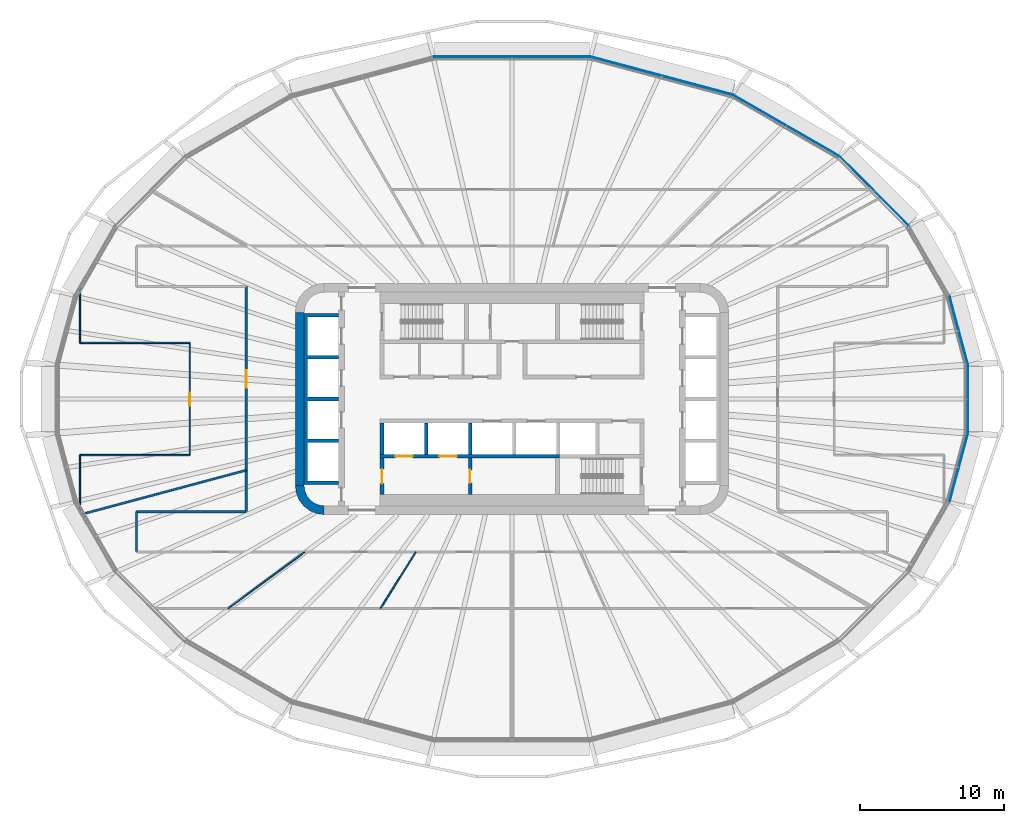
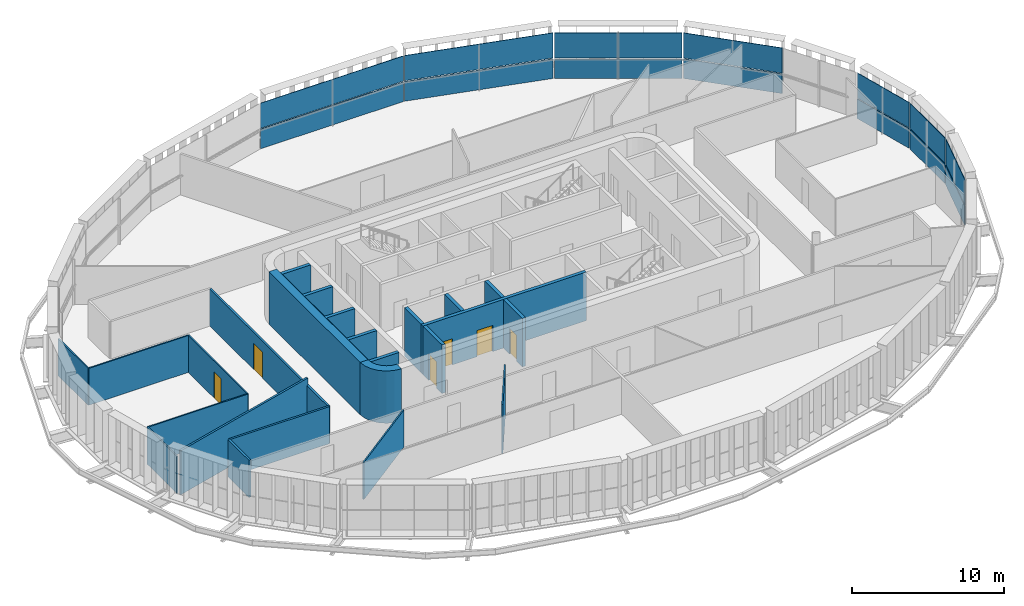
# One storey, part 14 of 25: 20 walls, 14 plates, 6 doors, 6 openings, 7 elements without a shape of their own.
"""IFC4 building model written with IfcOpenShell, lengths in metres."""

from ifc_helpers import new_model, si_unit, direction, frame, frame_2d, origin, place, context, subcontext, project, spatial, polyline, rectangle, outline, extrude, material, layer, layer_set, type_object, element, fill, aggregate, save


model = new_model("IFC4")

# Units and contexts
model_context = context("Model", 3, precision=1e-05, world=origin(), true_north=direction((0.0, 1.0)))
body_context = subcontext(model_context, "Body", "Model", "MODEL_VIEW")
ifc_project = project(units=[si_unit("LENGTHUNIT", "METRE"), si_unit("AREAUNIT", "SQUARE_METRE"), si_unit("VOLUMEUNIT", "CUBIC_METRE"), si_unit("PLANEANGLEUNIT", "RADIAN"), si_unit("MASSUNIT", "GRAM", prefix="KILO")], contexts=[model_context])

# Site, building, storey
site_placement = place(None, origin())
site = spatial("IfcSite", under=ifc_project, at=site_placement, CompositionType="ELEMENT")
building_placement = place(site_placement, origin())
building = spatial("IfcBuilding", under=site, at=building_placement, Name="Sahrelin Media Tower", CompositionType="ELEMENT")
storey_placement = place(building_placement, frame((0.0, 0.0, 144.0)))
storey = spatial("IfcBuildingStorey", under=building, at=storey_placement, Name="L29", CompositionType="ELEMENT", Elevation=144.0)

# Curtain wall, plate
ifc_material_1 = material(Name="Champagne anodised aluminium 6063-T6", Category="aluminium")
ifc_layer_1 = layer(ifc_material_1, 0.14990234375)
ifc_layer_set_1 = layer_set([ifc_layer_1], Name="Tower ribbon curtain wall")
curtain_wall_type = type_object("IfcCurtainWallType", Name="Tower ribbon curtain wall", PredefinedType="NOTDEFINED", material=ifc_layer_set_1)
curtain_wall_1_placement = place(storey_placement, frame((31.57861328125, 0.0, 0.0), z_axis=(0.0, 0.0, 1.0), x_axis=(1.0, 0.0, 0.0)))
curtain_wall_1 = element("IfcCurtainWall", 1, at=curtain_wall_1_placement, inside=storey, type_object=curtain_wall_type, Name="L29:CW:L29-00", PredefinedType="NOTDEFINED")
ifc_material_2 = material(Name="Clear low-iron glazing", Category="glass")
ifc_layer_2 = layer(ifc_material_2, 0.0400390625)
ifc_layer_set_2 = layer_set([ifc_layer_2], Name="Glazing panel 40 mm CW1")
plate_type_1 = type_object("IfcPlateType", Name="Glazing panel 40 mm CW1", PredefinedType="CURTAIN_PANEL", material=ifc_layer_set_2)
plate_1_placement = place(storey_placement, frame((31.5986328125, -2.30859375, 1.6298828125), z_axis=(1.0, 0.0, 0.0), x_axis=(0.0, 1.0, 0.0)))
plate_1 = element("IfcPlate", 2, at=plate_1_placement, type_object=plate_type_1, Name="L29:CWP2:L29-00", PredefinedType="CURTAIN_PANEL", context=body_context, shape_type="SweptSolid", body=[
    extrude(outline(polyline([(0.0, 0.0), (4.6171875, 0.0), (4.6171875, 2.018798828125), (0.0, 2.018798828125), (0.0, 0.0)])), origin(), (0.0, 0.0, -1.0), 0.0400390625),
])

curtain_wall_2_placement = place(storey_placement, frame((30.940185546875, 4.7412109375, 0.0), z_axis=(0.0, 0.0, 1.0), x_axis=(1.0, 0.0, 0.0)))
curtain_wall_2 = element("IfcCurtainWall", 3, at=curtain_wall_2_placement, inside=storey, type_object=curtain_wall_type, Name="L29:CW:L29-01", PredefinedType="NOTDEFINED")
plate_2_placement = place(storey_placement, frame((31.585205078125, 2.412109375, 1.6298828125), z_axis=(0.965913101603, 0.258866529609, 0.0), x_axis=(-0.258866529609, 0.965913101603, 0.0)))
plate_2 = element("IfcPlate", 4, at=plate_2_placement, type_object=plate_type_1, Name="L29:CWP2:L29-01", PredefinedType="CURTAIN_PANEL", context=body_context, shape_type="SweptSolid", body=[
    extrude(outline(polyline([(0.0, 0.0), (4.83349609375, 0.0), (4.83349609375, 2.018798828125), (0.0, 2.018798828125), (0.0, 0.0)])), origin(), (0.0, 0.0, -1.0), 0.0400390625),
])

curtain_wall_3_placement = place(storey_placement, frame((25.08349609375, 14.39697265625, 0.0), z_axis=(0.0, 0.0, 1.0), x_axis=(1.0, 0.0, 0.0)))
curtain_wall_3 = element("IfcCurtainWall", 5, at=curtain_wall_3_placement, inside=storey, type_object=curtain_wall_type, Name="L29:CW:L29-03", PredefinedType="NOTDEFINED")
plate_3_placement = place(storey_placement, frame((27.473876953125, 12.034912109375, 1.6298828125), z_axis=(0.707106781187, 0.707106781187, 0.0), x_axis=(-0.707106781187, 0.707106781187, 0.0)))
plate_3 = element("IfcPlate", 6, at=plate_3_placement, type_object=plate_type_1, Name="L29:CWP2:L29-03", PredefinedType="CURTAIN_PANEL", context=body_context, shape_type="SweptSolid", body=[
    extrude(outline(polyline([(0.0, 0.0), (6.720703125, 0.0), (6.720703125, 2.018798828125), (0.0, 2.018798828125), (0.0, 0.0)])), origin(), (0.0, 0.0, -1.0), 0.0400390625),
])

curtain_wall_4_placement = place(storey_placement, frame((18.990966796875, 18.93359375, 0.0), z_axis=(0.0, 0.0, 1.0), x_axis=(1.0, 0.0, 0.0)))
curtain_wall_4 = element("IfcCurtainWall", 7, at=curtain_wall_4_placement, inside=storey, type_object=curtain_wall_type, Name="L29:CW:L29-04", PredefinedType="NOTDEFINED")
plate_4_placement = place(storey_placement, frame((22.638916015625, 16.8505859375, 1.6298828125), z_axis=(0.499995799698, 0.866027828816, 0.0), x_axis=(-0.866027828816, 0.499995799698, 0.0)))
plate_4 = element("IfcPlate", 8, at=plate_4_placement, type_object=plate_type_1, Name="L29:CWP2:L29-04", PredefinedType="CURTAIN_PANEL", context=body_context, shape_type="SweptSolid", body=[
    extrude(outline(polyline([(0.0, 0.0), (8.4013671875, 0.0), (8.4013671875, 2.018798828125), (0.0, 2.018798828125), (0.0, 0.0)])), origin(), (0.0, 0.0, -1.0), 0.0400390625),
])

curtain_wall_5_placement = place(storey_placement, frame((10.389404296875, 22.377197265625, 0.0), z_axis=(0.0, 0.0, 1.0), x_axis=(1.0, 0.0, 0.0)))
curtain_wall_5 = element("IfcCurtainWall", 9, at=curtain_wall_5_placement, inside=storey, type_object=curtain_wall_type, Name="L29:CW:L29-05", PredefinedType="NOTDEFINED")
plate_5_placement = place(storey_placement, frame((15.2666015625, 21.09130859375, 1.6298828125), z_axis=(0.258816330459, 0.965926553671, 0.0), x_axis=(-0.965926553671, 0.258816330459, 0.0)))
plate_5 = element("IfcPlate", 10, at=plate_5_placement, type_object=plate_type_1, Name="L29:CWP2:L29-05", PredefinedType="CURTAIN_PANEL", context=body_context, shape_type="SweptSolid", body=[
    extrude(outline(polyline([(0.0, 0.0), (10.087646484375, 0.0), (10.087646484375, 2.018798828125), (0.0, 2.018798828125), (0.0, 0.0)])), origin(), (0.0, 0.0, -1.0), 0.0400390625),
])

curtain_wall_6_placement = place(storey_placement, frame((0.0, 23.69580078125, 0.0), z_axis=(0.0, 0.0, 1.0), x_axis=(1.0, 0.0, 0.0)))
curtain_wall_6 = element("IfcCurtainWall", 11, at=curtain_wall_6_placement, inside=storey, type_object=curtain_wall_type, Name="L29:CW:L29-06", PredefinedType="NOTDEFINED")
plate_6_placement = place(storey_placement, frame((5.419189453125, 23.7158203125, 1.6298828125), z_axis=(0.0, 1.0, 0.0), x_axis=(-1.0, 0.0, 0.0)))
plate_6 = element("IfcPlate", 12, at=plate_6_placement, type_object=plate_type_1, Name="L29:CWP2:L29-06", PredefinedType="CURTAIN_PANEL", context=body_context, shape_type="SweptSolid", body=[
    extrude(outline(polyline([(0.0, 0.0), (10.83837890625, 0.0), (10.83837890625, 2.018798828125), (0.0, 2.018798828125), (0.0, 0.0)])), origin(), (0.0, 0.0, -1.0), 0.0400390625),
])

curtain_wall_7_placement = place(storey_placement, frame((30.940185546875, -4.7412109375, 0.0), z_axis=(0.0, 0.0, 1.0), x_axis=(1.0, 0.0, 0.0)))
curtain_wall_7 = element("IfcCurtainWall", 13, at=curtain_wall_7_placement, inside=storey, type_object=curtain_wall_type, Name="L29:CW:L29-23", PredefinedType="NOTDEFINED")
plate_7_placement = place(storey_placement, frame((30.333984375, -7.080810546875, 1.6298828125), z_axis=(0.965913101603, -0.258866529609, 0.0), x_axis=(0.258866529609, 0.965913101603, 0.0)))
plate_7 = element("IfcPlate", 14, at=plate_7_placement, type_object=plate_type_1, Name="L29:CWP2:L29-23", PredefinedType="CURTAIN_PANEL", context=body_context, shape_type="SweptSolid", body=[
    extrude(outline(polyline([(0.0, 0.0), (4.83349609375, 0.0), (4.83349609375, 2.018798828125), (0.0, 2.018798828125), (0.0, 0.0)])), origin(), (0.0, 0.0, -1.0), 0.0400390625),
])

# Plate
ifc_material_3 = material(Name="Insulated spandrel panel")
ifc_layer_3 = layer(ifc_material_3, 0.06005859375)
ifc_layer_set_3 = layer_set([ifc_layer_3], Name="Spandrel panel 60 mm CW1")
plate_type_2 = type_object("IfcPlateType", Name="Spandrel panel 60 mm CW1", PredefinedType="SHEET", material=ifc_layer_set_3)
plate_8_placement = place(storey_placement, frame((31.5986328125, -2.30859375, 0.0), z_axis=(1.0, 0.0, 0.0), x_axis=(0.0, 1.0, 0.0)))
plate_8 = element("IfcPlate", 15, at=plate_8_placement, type_object=plate_type_2, Name="L29:CWP1:L29-00", PredefinedType="SHEET", context=body_context, shape_type="SweptSolid", body=[
    extrude(outline(polyline([(0.0, 0.0), (4.6171875, 0.0), (4.6171875, 1.570068359375), (0.0, 1.570068359375), (0.0, 0.0)])), origin(), (0.0, 0.0, -1.0), 0.06005859375),
])

aggregate(curtain_wall_1, [plate_8, plate_1])

plate_9_placement = place(storey_placement, frame((31.585205078125, 2.412109375, 0.0), z_axis=(0.965913101603, 0.258866529609, 0.0), x_axis=(-0.258866529609, 0.965913101603, 0.0)))
plate_9 = element("IfcPlate", 16, at=plate_9_placement, type_object=plate_type_2, Name="L29:CWP1:L29-01", PredefinedType="SHEET", context=body_context, shape_type="SweptSolid", body=[
    extrude(outline(polyline([(0.0, 0.0), (4.83349609375, 0.0), (4.83349609375, 1.570068359375), (0.0, 1.570068359375), (0.0, 0.0)])), origin(), (0.0, 0.0, -1.0), 0.06005859375),
])

aggregate(curtain_wall_2, [plate_9, plate_2])

plate_10_placement = place(storey_placement, frame((27.473876953125, 12.034912109375, 0.0), z_axis=(0.707106781187, 0.707106781187, 0.0), x_axis=(-0.707106781187, 0.707106781187, 0.0)))
plate_10 = element("IfcPlate", 17, at=plate_10_placement, type_object=plate_type_2, Name="L29:CWP1:L29-03", PredefinedType="SHEET", context=body_context, shape_type="SweptSolid", body=[
    extrude(outline(polyline([(0.0, 0.0), (6.720703125, 0.0), (6.720703125, 1.570068359375), (0.0, 1.570068359375), (0.0, 0.0)])), origin(), (0.0, 0.0, -1.0), 0.06005859375),
])

aggregate(curtain_wall_3, [plate_10, plate_3])

plate_11_placement = place(storey_placement, frame((22.638916015625, 16.8505859375, 0.0), z_axis=(0.499995799698, 0.866027828816, 0.0), x_axis=(-0.866027828816, 0.499995799698, 0.0)))
plate_11 = element("IfcPlate", 18, at=plate_11_placement, type_object=plate_type_2, Name="L29:CWP1:L29-04", PredefinedType="SHEET", context=body_context, shape_type="SweptSolid", body=[
    extrude(outline(polyline([(0.0, 0.0), (8.4013671875, 0.0), (8.4013671875, 1.570068359375), (0.0, 1.570068359375), (0.0, 0.0)])), origin(), (0.0, 0.0, -1.0), 0.06005859375),
])

aggregate(curtain_wall_4, [plate_11, plate_4])

plate_12_placement = place(storey_placement, frame((15.2666015625, 21.09130859375, 0.0), z_axis=(0.258816330459, 0.965926553671, 0.0), x_axis=(-0.965926553671, 0.258816330459, 0.0)))
plate_12 = element("IfcPlate", 19, at=plate_12_placement, type_object=plate_type_2, Name="L29:CWP1:L29-05", PredefinedType="SHEET", context=body_context, shape_type="SweptSolid", body=[
    extrude(outline(polyline([(0.0, 0.0), (10.087646484375, 0.0), (10.087646484375, 1.570068359375), (0.0, 1.570068359375), (0.0, 0.0)])), origin(), (0.0, 0.0, -1.0), 0.06005859375),
])

aggregate(curtain_wall_5, [plate_12, plate_5])

plate_13_placement = place(storey_placement, frame((5.419189453125, 23.7158203125, 0.0), z_axis=(0.0, 1.0, 0.0), x_axis=(-1.0, 0.0, 0.0)))
plate_13 = element("IfcPlate", 20, at=plate_13_placement, type_object=plate_type_2, Name="L29:CWP1:L29-06", PredefinedType="SHEET", context=body_context, shape_type="SweptSolid", body=[
    extrude(outline(polyline([(0.0, 0.0), (10.83837890625, 0.0), (10.83837890625, 1.570068359375), (0.0, 1.570068359375), (0.0, 0.0)])), origin(), (0.0, 0.0, -1.0), 0.06005859375),
])

aggregate(curtain_wall_6, [plate_13, plate_6])

plate_14_placement = place(storey_placement, frame((30.333984375, -7.080810546875, 0.0), z_axis=(0.965913101603, -0.258866529609, 0.0), x_axis=(0.258866529609, 0.965913101603, 0.0)))
plate_14 = element("IfcPlate", 21, at=plate_14_placement, type_object=plate_type_2, Name="L29:CWP1:L29-23", PredefinedType="SHEET", context=body_context, shape_type="SweptSolid", body=[
    extrude(outline(polyline([(0.0, 0.0), (4.83349609375, 0.0), (4.83349609375, 1.570068359375), (0.0, 1.570068359375), (0.0, 0.0)])), origin(), (0.0, 0.0, -1.0), 0.06005859375),
])

aggregate(curtain_wall_7, [plate_14, plate_7])

# Walls
ifc_material_4 = material(Name="Concrete C60/75", Category="concrete")
ifc_layer_4 = layer(ifc_material_4, 0.60009765625)
ifc_layer_set_4 = layer_set([ifc_layer_4], Name="Core wall 600")
wall_type_1 = type_object("IfcWallType", Name="Core wall 600", PredefinedType="SHEAR", material=ifc_layer_set_4)
wall_1_placement = place(storey_placement, frame((-14.699951171875, -6.0, 0.0), z_axis=(0.0, 0.0, 1.0), x_axis=(0.0, 1.0, 0.0)))
element("IfcWall", 22, at=wall_1_placement, inside=storey, type_object=wall_type_1, Name="Core wall W L29", PredefinedType="SHEAR", context=body_context, shape_type="SweptSolid", body=[
    extrude(rectangle(XDim=12.0, YDim=0.60009765625, at=frame_2d((6.0, 0.0))), origin(), (0.0, 0.0, 1.0), 4.199951171875),
])
placement = place(storey_placement, origin())
element("IfcWall", 23, at=placement, inside=storey, type_object=wall_type_1, Name="Core wall corner SW L29", PredefinedType="SHEAR", context=body_context, shape_type="SweptSolid", body=[
    extrude(outline(polyline([(-13.0, -8.0), (-13.0, -7.394775390625), (-13.361083984375, -7.347412109375), (-13.697509765625, -7.2080078125), (-13.986328125, -6.986328125), (-14.2080078125, -6.697509765625), (-14.347412109375, -6.361083984375), (-14.394775390625, -6.0), (-15.0, -6.0), (-14.931884765625, -6.517578125), (-14.732177734375, -7.0), (-14.414306640625, -7.414306640625), (-14.0, -7.732177734375), (-13.517578125, -7.931884765625), (-13.0, -8.0)])), origin(), (0.0, 0.0, 1.0), 4.199951171875),
])
ifc_material_5 = material(Name="Fire-rated gypsum board partition")
ifc_layer_5 = layer(ifc_material_5, 0.14990234375)
ifc_layer_set_5 = layer_set([ifc_layer_5], Name="Fire-rated partition 150")
wall_type_2 = type_object("IfcWallType", Name="Fire-rated partition 150", PredefinedType="PARTITIONING", material=ifc_layer_set_5)
wall_3_placement = place(storey_placement, frame((-26.0, -7.800048828125, 0.0), z_axis=(0.0, 0.0, 1.0), x_axis=(1.0, 0.0, 0.0)))
element("IfcWall", 24, at=wall_3_placement, inside=storey, type_object=wall_type_2, Name="Wall", PredefinedType="PARTITIONING", context=body_context, shape_type="SweptSolid", body=[
    extrude(rectangle(XDim=7.60009765625, YDim=0.14990234375, at=frame_2d((3.800048828125, 0.0))), origin(), (0.0, 0.0, 1.0), 2.97705078125),
])
wall_4_placement = place(storey_placement, frame((-29.803955078125, -7.986083984375, 0.0), z_axis=(0.0, 0.0, 1.0), x_axis=(0.965916389644, 0.258854260572, 0.0)))
element("IfcWall", 25, at=wall_4_placement, inside=storey, type_object=wall_type_2, Name="Wall", PredefinedType="PARTITIONING", context=body_context, shape_type="SweptSolid", body=[
    extrude(rectangle(XDim=11.806396484375, YDim=0.14990234375, at=frame_2d((5.9033203125, 0.0))), origin(), (0.0, 0.0, 1.0), 3.52490234375),
])

# Wall, opening, door
wall_5_placement = place(storey_placement, frame((-18.39990234375, -7.800048828125, 0.0), z_axis=(0.0, 0.0, 1.0), x_axis=(0.0, 1.0, 0.0)))
wall_5 = element("IfcWall", 26, at=wall_5_placement, inside=storey, type_object=wall_type_2, Name="Wall", PredefinedType="PARTITIONING", context=body_context, shape_type="SweptSolid", body=[
    extrude(rectangle(XDim=15.60009765625, YDim=0.14990234375, at=frame_2d((7.800048828125, 0.0))), origin(), (0.0, 0.0, 1.0), 2.96826171875),
])
opening_1_placement = place(wall_5_placement, frame((8.5849609375, 0.0, 0.0)))
opening_1 = element("IfcOpeningElement", 27, at=opening_1_placement, cuts=wall_5, Name="Opening L29-D30", PredefinedType="OPENING", context=body_context, shape_type="SweptSolid", body=[
    extrude(rectangle(XDim=1.199951171875, YDim=2.10009765625, at=frame_2d((0.60009765625, 1.050048828125))), frame((0.0, 0.074951171875, 0.0), z_axis=(0.0, -1.0, 0.0), x_axis=(1.0, 0.0, 0.0)), (0.0, 0.0, 1.0), 0.14990234375),
])
ifc_material_6 = material(Name="Steel fire door leaf", Category="steel")
door_type_1 = type_object("IfcDoorType", Name="Service double door 1200 x 2100 EI 60", OperationType="DOUBLE_DOOR_SINGLE_SWING", PredefinedType="DOOR", material=ifc_material_6)
door_1_placement = place(opening_1_placement, origin())
door_1 = element("IfcDoor", 28, at=door_1_placement, inside=storey, type_object=door_type_1, Name="Service double door", OperationType="DOUBLE_DOOR_SINGLE_SWING", OverallHeight=2.10009765625, OverallWidth=1.199951171875, PredefinedType="DOOR", context=body_context, shape_type="SweptSolid", body=[
    extrude(rectangle(XDim=1.199951171875, YDim=2.10009765625, at=frame_2d((0.60009765625, 1.050048828125))), frame((0.0, 0.02490234375, 0.0), z_axis=(0.0, -1.0, 0.0), x_axis=(1.0, 0.0, 0.0)), (0.0, 0.0, 1.0), 0.050048828125),
])
fill(opening_1, door_1)

# Wall
wall_6_placement = place(storey_placement, frame((-26.0, -10.574951171875, 0.0), z_axis=(0.0, 0.0, 1.0), x_axis=(0.0, 1.0, 0.0)))
element("IfcWall", 29, at=wall_6_placement, inside=storey, type_object=wall_type_2, Name="Wall", PredefinedType="PARTITIONING", context=body_context, shape_type="SweptSolid", body=[
    extrude(rectangle(XDim=2.77490234375, YDim=0.14990234375, at=frame_2d((1.387451171875, 0.0))), origin(), (0.0, 0.0, 1.0), 2.97705078125),
])

# Wall, opening, door
ifc_layer_6 = layer(ifc_material_5, 0.25)
ifc_layer_set_6 = layer_set([ifc_layer_6], Name="Firefighting lobby wall 250")
wall_type_3 = type_object("IfcWallType", Name="Firefighting lobby wall 250", PredefinedType="PARTITIONING", material=ifc_layer_set_6)
wall_7_placement = place(storey_placement, frame((-9.0, -6.60009765625, 0.0), z_axis=(0.0, 0.0, 1.0), x_axis=(0.0, 1.0, 0.0)))
wall_7 = element("IfcWall", 30, at=wall_7_placement, inside=storey, type_object=wall_type_3, Name="Core wall", PredefinedType="PARTITIONING", context=body_context, shape_type="SweptSolid", body=[
    extrude(rectangle(XDim=2.5, YDim=0.25, at=frame_2d((1.25, 0.0))), origin(), (0.0, 0.0, 1.0), 3.89990234375),
])
opening_2_placement = place(wall_7_placement, frame((0.75, 0.0, 0.0)))
opening_2 = element("IfcOpeningElement", 31, at=opening_2_placement, cuts=wall_7, Name="Opening L29-D04", PredefinedType="OPENING", context=body_context, shape_type="SweptSolid", body=[
    extrude(rectangle(XDim=1.0, YDim=2.10009765625, at=frame_2d((0.5, 1.050048828125))), frame((0.0, 0.125, 0.0), z_axis=(0.0, -1.0, 0.0), x_axis=(1.0, 0.0, 0.0)), (0.0, 0.0, 1.0), 0.25),
])
door_type_2 = type_object("IfcDoorType", Name="Firefighting lobby door 1000 x 2100 EI 120", OperationType="NOTDEFINED", PredefinedType="DOOR", material=ifc_material_6)
door_2_placement = place(opening_2_placement, origin())
door_2 = element("IfcDoor", 32, at=door_2_placement, inside=storey, type_object=door_type_2, Name="Firefighting lobby door", OperationType="SINGLE_SWING_LEFT", OverallHeight=2.10009765625, OverallWidth=1.0, PredefinedType="DOOR", context=body_context, shape_type="SweptSolid", body=[
    extrude(rectangle(XDim=1.0, YDim=2.10009765625, at=frame_2d((0.5, 1.050048828125))), frame((0.0, 0.02490234375, 0.0), z_axis=(0.0, -1.0, 0.0), x_axis=(1.0, 0.0, 0.0)), (0.0, 0.0, 1.0), 0.050048828125),
])
fill(opening_2, door_2)

wall_8_placement = place(storey_placement, frame((-2.89990234375, -6.60009765625, 0.0), z_axis=(0.0, 0.0, 1.0), x_axis=(0.0, 1.0, 0.0)))
wall_8 = element("IfcWall", 33, at=wall_8_placement, inside=storey, type_object=wall_type_3, Name="Core wall", PredefinedType="PARTITIONING", context=body_context, shape_type="SweptSolid", body=[
    extrude(rectangle(XDim=2.5, YDim=0.25, at=frame_2d((1.25, 0.0))), origin(), (0.0, 0.0, 1.0), 3.89990234375),
])
opening_3_placement = place(wall_8_placement, frame((0.800048828125, 0.0, 0.0)))
opening_3 = element("IfcOpeningElement", 34, at=opening_3_placement, cuts=wall_8, Name="Opening L29-D05", PredefinedType="OPENING", context=body_context, shape_type="SweptSolid", body=[
    extrude(rectangle(XDim=0.89990234375, YDim=2.10009765625, at=frame_2d((0.449951171875, 1.050048828125))), frame((0.0, 0.125, 0.0), z_axis=(0.0, -1.0, 0.0), x_axis=(1.0, 0.0, 0.0)), (0.0, 0.0, 1.0), 0.25),
])
door_type_3 = type_object("IfcDoorType", Name="Firefighting lobby door 900 x 2100 EI 120", OperationType="NOTDEFINED", PredefinedType="DOOR", material=ifc_material_6)
door_3_placement = place(opening_3_placement, origin())
door_3 = element("IfcDoor", 35, at=door_3_placement, inside=storey, type_object=door_type_3, Name="Riser door", OperationType="SINGLE_SWING_RIGHT", OverallHeight=2.10009765625, OverallWidth=0.89990234375, PredefinedType="DOOR", context=body_context, shape_type="SweptSolid", body=[
    extrude(rectangle(XDim=0.89990234375, YDim=2.10009765625, at=frame_2d((0.449951171875, 1.050048828125))), frame((0.0, 0.02490234375, 0.0), z_axis=(0.0, -1.0, 0.0), x_axis=(1.0, 0.0, 0.0)), (0.0, 0.0, 1.0), 0.050048828125),
])
fill(opening_3, door_3)

# Wall, openings, doors
ifc_layer_7 = layer(ifc_material_4, 0.25)
ifc_layer_set_7 = layer_set([ifc_layer_7], Name="Lift shaft wall 250")
wall_type_4 = type_object("IfcWallType", Name="Lift shaft wall 250", PredefinedType="SOLIDWALL", material=ifc_layer_set_7)
wall_9_placement = place(storey_placement, frame((-9.125, -3.97509765625, 0.0), z_axis=(0.0, 0.0, 1.0), x_axis=(1.0, 0.0, 0.0)))
wall_9 = element("IfcWall", 36, at=wall_9_placement, inside=storey, type_object=wall_type_4, Name="Lift shaft wall", PredefinedType="SOLIDWALL", context=body_context, shape_type="SweptSolid", body=[
    extrude(rectangle(XDim=12.39990234375, YDim=0.25, at=frame_2d((6.199951171875, 0.0))), origin(), (0.0, 0.0, 1.0), 3.89990234375),
])
opening_4_placement = place(wall_9_placement, frame((1.050048828125, 0.0, 0.0)))
opening_4 = element("IfcOpeningElement", 37, at=opening_4_placement, cuts=wall_9, Name="Opening L29-LD-FF1", PredefinedType="OPENING", context=body_context, shape_type="SweptSolid", body=[
    extrude(rectangle(XDim=1.199951171875, YDim=2.10009765625, at=frame_2d((0.60009765625, 1.050048828125))), frame((0.0, 0.125, 0.0), z_axis=(0.0, -1.0, 0.0), x_axis=(1.0, 0.0, 0.0)), (0.0, 0.0, 1.0), 0.25),
])
opening_5_placement = place(wall_9_placement, frame((4.10009765625, 0.0, 0.0)))
opening_5 = element("IfcOpeningElement", 38, at=opening_5_placement, cuts=wall_9, Name="Opening L29-LD-FF2", PredefinedType="OPENING", context=body_context, shape_type="SweptSolid", body=[
    extrude(rectangle(XDim=1.199951171875, YDim=2.10009765625, at=frame_2d((0.60009765625, 1.050048828125))), frame((0.0, 0.125, 0.0), z_axis=(0.0, -1.0, 0.0), x_axis=(1.0, 0.0, 0.0)), (0.0, 0.0, 1.0), 0.25),
])
ifc_material_7 = material(Name="Stainless steel", Category="steel")
door_type_4 = type_object("IfcDoorType", Name="Lift landing door 1200 x 2100 EI 120", OperationType="DOUBLE_DOOR_SLIDING", PredefinedType="DOOR", material=ifc_material_7)
door_4_placement = place(opening_4_placement, origin())
door_4 = element("IfcDoor", 39, at=door_4_placement, inside=storey, type_object=door_type_4, Name="Lift landing door FF1", OperationType="DOUBLE_DOOR_SLIDING", OverallHeight=2.10009765625, OverallWidth=1.199951171875, PredefinedType="DOOR", context=body_context, shape_type="SweptSolid", body=[
    extrude(rectangle(XDim=1.199951171875, YDim=2.10009765625, at=frame_2d((0.60009765625, 1.050048828125))), frame((0.0, 0.02490234375, 0.0), z_axis=(0.0, -1.0, 0.0), x_axis=(1.0, 0.0, 0.0)), (0.0, 0.0, 1.0), 0.050048828125),
])
fill(opening_4, door_4)
door_5_placement = place(opening_5_placement, origin())
door_5 = element("IfcDoor", 40, at=door_5_placement, inside=storey, type_object=door_type_4, Name="Lift landing door FF2", OperationType="DOUBLE_DOOR_SLIDING", OverallHeight=2.10009765625, OverallWidth=1.199951171875, PredefinedType="DOOR", context=body_context, shape_type="SweptSolid", body=[
    extrude(rectangle(XDim=1.199951171875, YDim=2.10009765625, at=frame_2d((0.60009765625, 1.050048828125))), frame((0.0, 0.02490234375, 0.0), z_axis=(0.0, -1.0, 0.0), x_axis=(1.0, 0.0, 0.0)), (0.0, 0.0, 1.0), 0.050048828125),
])
fill(opening_5, door_5)

# Walls
for number, where, z_axis, x_axis, name in (
    (41, (-9.0, -3.85009765625, 0.0), (0.0, 0.0, 1.0), (0.0, 1.0, 0.0), "Lift shaft wall"),
    (42, (-5.949951171875, -3.85009765625, 0.0), (0.0, 0.0, 1.0), (0.0, 1.0, 0.0), "Lift shaft wall"),
    (43, (-2.89990234375, -3.85009765625, 0.0), (0.0, 0.0, 1.0), (0.0, 1.0, 0.0), "Lift shaft wall"),
):
    element("IfcWall", number, at=place(storey_placement, frame(where, z_axis=z_axis, x_axis=x_axis)), inside=storey, type_object=wall_type_4, Name=name, PredefinedType="SOLIDWALL", context=body_context, shape_type="SweptSolid", body=[
        extrude(rectangle(XDim=2.2001953125, YDim=0.25, at=frame_2d((1.10009765625, 0.0))), origin(), (0.0, 0.0, 1.0), 3.89990234375),
    ])
element("IfcWall", 44, at=placement, inside=storey, type_object=wall_type_4, Name="Lift shaft wall", PredefinedType="SOLIDWALL", context=body_context, shape_type="SweptSolid", body=[
    extrude(outline(polyline([(-12.0, -5.925048828125), (-12.0, -5.675048828125), (-14.14990234375, -5.675048828125), (-14.14990234375, -3.02490234375), (-12.0, -3.02490234375), (-12.0, -2.77490234375), (-14.14990234375, -2.77490234375), (-14.14990234375, -0.125), (-12.0, -0.125), (-12.0, 0.125), (-14.14990234375, 0.125), (-14.14990234375, 2.77490234375), (-12.0, 2.77490234375), (-12.0, 3.02490234375), (-14.14990234375, 3.02490234375), (-14.14990234375, 5.675048828125), (-12.0, 5.675048828125), (-12.0, 5.925048828125), (-14.14990234375, 5.925048828125), (-14.39990234375, 5.925048828125), (-14.39990234375, 5.675048828125), (-14.39990234375, 3.02490234375), (-14.39990234375, 2.77490234375), (-14.39990234375, 0.125), (-14.39990234375, -0.125), (-14.39990234375, -2.77490234375), (-14.39990234375, -3.02490234375), (-14.39990234375, -5.675048828125), (-14.39990234375, -5.925048828125), (-14.14990234375, -5.925048828125), (-12.0, -5.925048828125)])), origin(), (0.0, 0.0, 1.0), 3.89990234375),
])
ifc_material_8 = material(Name="Gypsum board partition")
ifc_layer_8 = layer(ifc_material_8, 0.10009765625)
ifc_layer_set_8 = layer_set([ifc_layer_8], Name="Partition 100")
wall_type_5 = type_object("IfcWallType", Name="Partition 100", PredefinedType="PARTITIONING", material=ifc_layer_set_8)
for number, where, z_axis, x_axis, name in (
    (45, (-29.909912109375, -3.889892578125, 0.0), (0.0, 0.0, 1.0), (1.0, 0.0, 0.0), "Wall"),
    (46, (-29.909912109375, 3.889892578125, 0.0), (0.0, 0.0, 1.0), (1.0, 0.0, 0.0), "Wall"),
):
    element("IfcWall", number, at=place(storey_placement, frame(where, z_axis=z_axis, x_axis=x_axis)), inside=storey, type_object=wall_type_5, Name=name, PredefinedType="PARTITIONING", context=body_context, shape_type="SweptSolid", body=[
        extrude(rectangle(XDim=7.599853515625, YDim=0.10009765625, at=frame_2d((3.7998046875, 0.0))), origin(), (0.0, 0.0, 1.0), 2.96826171875),
    ])
wall_11_placement = place(storey_placement, frame((-19.660888671875, -14.510009765625, 0.0), z_axis=(0.0, 0.0, 1.0), x_axis=(0.804603605329, 0.593812292136, 0.0)))
element("IfcWall", 47, at=wall_11_placement, inside=storey, type_object=wall_type_5, Name="Wall", PredefinedType="PARTITIONING", context=body_context, shape_type="SweptSolid", body=[
    extrude(rectangle(XDim=6.58447265625, YDim=0.10009765625, at=frame_2d((3.292236328125, 0.0))), origin(), (0.0, 0.0, 1.0), 2.97705078125),
])
wall_12_placement = place(storey_placement, frame((-9.116943359375, -14.510009765625, 0.0), z_axis=(0.0, 0.0, 1.0), x_axis=(0.531922462086, 0.846793064643, 0.0)))
element("IfcWall", 48, at=wall_12_placement, inside=storey, type_object=wall_type_5, Name="Wall", PredefinedType="PARTITIONING", context=body_context, shape_type="SweptSolid", body=[
    extrude(rectangle(XDim=4.617431640625, YDim=0.10009765625, at=frame_2d((2.30859375, 0.0))), origin(), (0.0, 0.0, 1.0), 3.89990234375),
])

# Wall, opening, door
wall_13_placement = place(storey_placement, frame((-22.31005859375, -3.889892578125, 0.0), z_axis=(0.0, 0.0, 1.0), x_axis=(0.0, 1.0, 0.0)))
wall_13 = element("IfcWall", 49, at=wall_13_placement, inside=storey, type_object=wall_type_5, Name="Wall", PredefinedType="PARTITIONING", context=body_context, shape_type="SweptSolid", body=[
    extrude(rectangle(XDim=7.77978515625, YDim=0.10009765625, at=frame_2d((3.889892578125, 0.0))), origin(), (0.0, 0.0, 1.0), 2.96826171875),
])
opening_6_placement = place(wall_13_placement, frame((3.43994140625, 0.0, 0.0)))
opening_6 = element("IfcOpeningElement", 50, at=opening_6_placement, cuts=wall_13, Name="Opening L29-D31", PredefinedType="OPENING", context=body_context, shape_type="SweptSolid", body=[
    extrude(rectangle(XDim=0.89990234375, YDim=2.10009765625, at=frame_2d((0.449951171875, 1.050048828125))), frame((0.0, 0.050048828125, 0.0), z_axis=(0.0, -1.0, 0.0), x_axis=(1.0, 0.0, 0.0)), (0.0, 0.0, 1.0), 0.10009765625),
])
ifc_material_9 = material(Name="Timber door leaf", Category="wood")
door_type_5 = type_object("IfcDoorType", Name="Single door 900 x 2100", OperationType="NOTDEFINED", PredefinedType="DOOR", material=ifc_material_9)
door_6_placement = place(opening_6_placement, origin())
door_6 = element("IfcDoor", 51, at=door_6_placement, inside=storey, type_object=door_type_5, Name="Single door", OperationType="SINGLE_SWING_LEFT", OverallHeight=2.10009765625, OverallWidth=0.89990234375, PredefinedType="DOOR", context=body_context, shape_type="SweptSolid", body=[
    extrude(rectangle(XDim=0.89990234375, YDim=2.10009765625, at=frame_2d((0.449951171875, 1.050048828125))), frame((0.0, 0.02490234375, 0.0), z_axis=(0.0, -1.0, 0.0), x_axis=(1.0, 0.0, 0.0)), (0.0, 0.0, 1.0), 0.050048828125),
])
fill(opening_6, door_6)

# Walls
for number, where, z_axis, x_axis, name in (
    (52, (-29.909912109375, -7.802978515625, 0.0), (0.0, 0.0, 1.0), (0.0, 1.0, 0.0), "Wall"),
    (53, (-29.909912109375, 3.889892578125, 0.0), (0.0, 0.0, 1.0), (0.0, 1.0, 0.0), "Wall"),
):
    element("IfcWall", number, at=place(storey_placement, frame(where, z_axis=z_axis, x_axis=x_axis)), inside=storey, type_object=wall_type_5, Name=name, PredefinedType="PARTITIONING", context=body_context, shape_type="SweptSolid", body=[
        extrude(rectangle(XDim=3.9130859375, YDim=0.10009765625, at=frame_2d((1.95654296875, 0.0))), origin(), (0.0, 0.0, 1.0), 2.96826171875),
    ])

save(model, "model.ifc")
